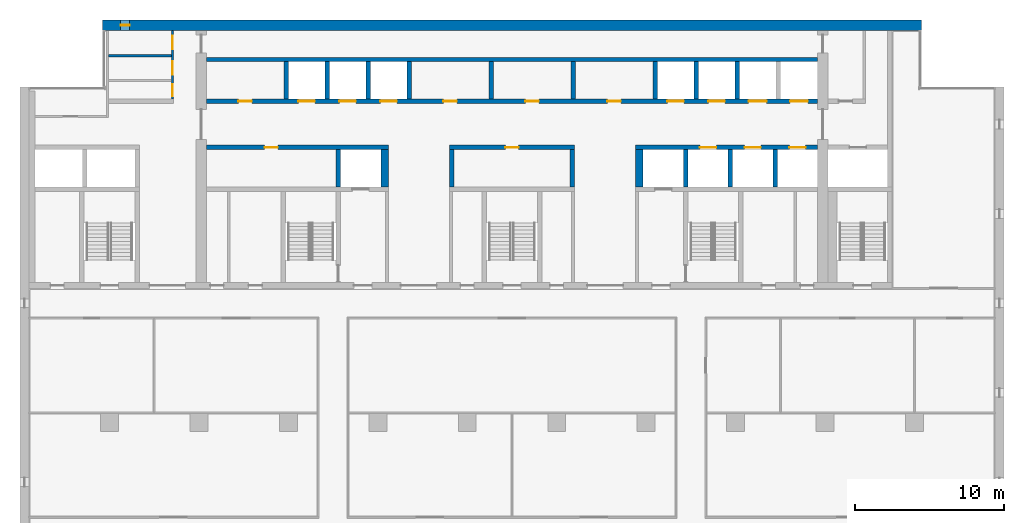
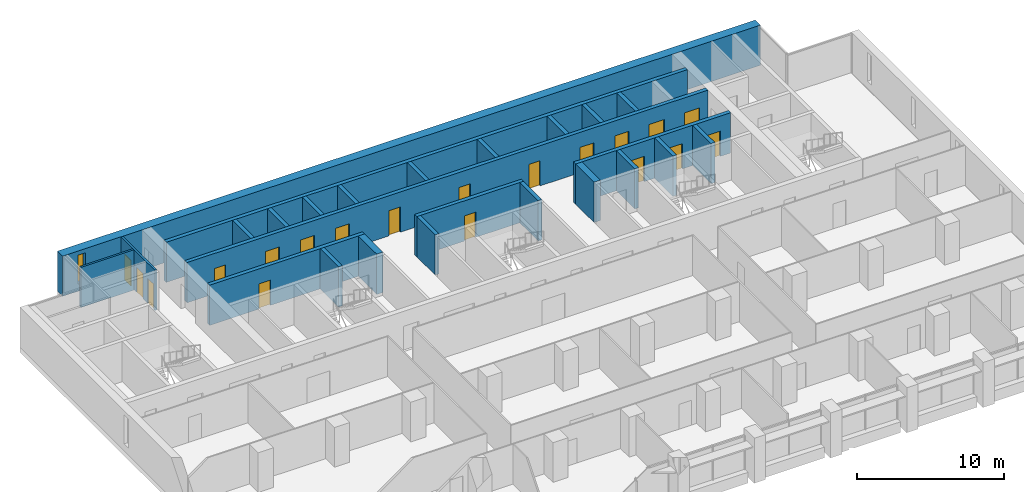
# One storey, part 11 of 17: 25 walls, 19 doors, 1 window, 20 openings.
"""IFC4 building model written with IfcOpenShell, lengths in metres."""

from ifc_helpers import new_model, si_unit, direction, frame, frame_2d, origin, place, context, subcontext, project, spatial, rectangle, extrude, material, layer, layer_set, type_object, element, fill, save


model = new_model("IFC4")

# Units and contexts
model_context = context("Model", 3, precision=1e-05, world=origin(), true_north=direction((0.0, 1.0)))
body_context = subcontext(model_context, "Body", "Model", "MODEL_VIEW")
ifc_project = project(units=[si_unit("LENGTHUNIT", "METRE"), si_unit("AREAUNIT", "SQUARE_METRE"), si_unit("VOLUMEUNIT", "CUBIC_METRE"), si_unit("PLANEANGLEUNIT", "RADIAN"), si_unit("MASSUNIT", "GRAM", prefix="KILO")], contexts=[model_context])

# Site, building, storey
site_placement = place(None, origin())
site = spatial("IfcSite", under=ifc_project, at=site_placement, CompositionType="ELEMENT")
building_placement = place(site_placement, origin())
building = spatial("IfcBuilding", under=site, at=building_placement, Name="Calvaro Tower", CompositionType="ELEMENT")
storey_placement = place(building_placement, frame((0.0, 0.0, 170.5)))
storey = spatial("IfcBuildingStorey", under=building, at=storey_placement, Name="L42", CompositionType="ELEMENT", Elevation=170.5)

# Wall
ifc_material_1 = material(Name="Blockwork partition", Category="masonry")
ifc_layer_1 = layer(ifc_material_1, 0.14990234375)
ifc_layer_set_1 = layer_set([ifc_layer_1], Name="Blockwork partition")
wall_type_1 = type_object("IfcWallType", Name="Core partition 150 EI 60", PredefinedType="PARTITIONING", material=ifc_layer_set_1)
wall_1_placement = place(storey_placement, frame((11.949951171875, 43.60009765625, 0.0), z_axis=(0.0, 0.0, 1.0), x_axis=(1.0, 0.0, 0.0)))
element("IfcWall", 1, at=wall_1_placement, inside=storey, type_object=wall_type_1, Name="Core partition", PredefinedType="PARTITIONING", context=body_context, shape_type="SweptSolid", body=[
    extrude(rectangle(XDim=4.199951171875, YDim=0.14990234375, at=frame_2d((2.10009765625, 0.0))), origin(), (0.0, 0.0, 1.0), 3.35009765625),
])

# Wall, openings, doors
ifc_material_2 = material(Name="Blockwork partition", Category="masonry")
ifc_layer_2 = layer(ifc_material_2, 0.14990234375)
ifc_layer_set_2 = layer_set([ifc_layer_2], Name="Blockwork partition")
wall_type_2 = type_object("IfcWallType", Name="Core partition 150 REI 120", PredefinedType="PARTITIONING", material=ifc_layer_set_2)
wall_2_placement = place(storey_placement, frame((16.22509765625, 45.300048828125, 0.0), z_axis=(0.0, 0.0, 1.0), x_axis=(0.0, -1.0, 0.0)))
wall_2 = element("IfcWall", 2, at=wall_2_placement, inside=storey, type_object=wall_type_2, Name="Core partition", PredefinedType="PARTITIONING", context=body_context, shape_type="SweptSolid", body=[
    extrude(rectangle(XDim=4.60009765625, YDim=0.14990234375, at=frame_2d((2.300048828125, 0.0))), origin(), (0.0, 0.0, 1.0), 3.35009765625),
])
opening_1_placement = place(wall_2_placement, frame((3.612548828125, 0.0, 0.0)))
opening_1 = element("IfcOpeningElement", 3, at=opening_1_placement, cuts=wall_2, Name="Opening RD8C", PredefinedType="OPENING", context=body_context, shape_type="SweptSolid", body=[
    extrude(rectangle(XDim=0.800048828125, YDim=2.10009765625, at=frame_2d((0.39990234375, 1.050048828125))), frame((0.0, 0.0849609375, 0.0), z_axis=(0.0, -1.0, 0.0), x_axis=(1.0, 0.0, 0.0)), (0.0, 0.0, 1.0), 0.169921875),
])
opening_2_placement = place(wall_2_placement, frame((2.074951171875, 0.0, 0.0)))
opening_2 = element("IfcOpeningElement", 4, at=opening_2_placement, cuts=wall_2, Name="Opening RD9", PredefinedType="OPENING", context=body_context, shape_type="SweptSolid", body=[
    extrude(rectangle(XDim=0.89990234375, YDim=2.10009765625, at=frame_2d((0.449951171875, 1.050048828125))), frame((0.0, 0.0849609375, 0.0), z_axis=(0.0, -1.0, 0.0), x_axis=(1.0, 0.0, 0.0)), (0.0, 0.0, 1.0), 0.169921875),
])
opening_3_placement = place(wall_2_placement, frame((0.362548828125, 0.0, 0.0)))
opening_3 = element("IfcOpeningElement", 5, at=opening_3_placement, cuts=wall_2, Name="Opening RD9", PredefinedType="OPENING", context=body_context, shape_type="SweptSolid", body=[
    extrude(rectangle(XDim=0.89990234375, YDim=2.10009765625, at=frame_2d((0.449951171875, 1.050048828125))), frame((0.0, 0.0849609375, 0.0), z_axis=(0.0, -1.0, 0.0), x_axis=(1.0, 0.0, 0.0)), (0.0, 0.0, 1.0), 0.169921875),
])
ifc_material_3 = material(Name="Steel door set", Category="steel")
door_type_1 = type_object("IfcDoorType", Name="Room door 800 FD30", OperationType="SINGLE_SWING_LEFT", PredefinedType="DOOR", material=ifc_material_3)
door_1_placement = place(opening_1_placement, origin())
door_1 = element("IfcDoor", 6, at=door_1_placement, inside=storey, type_object=door_type_1, Name="Room door", OperationType="SINGLE_SWING_RIGHT", OverallHeight=2.10009765625, OverallWidth=0.800048828125, PredefinedType="DOOR", context=body_context, shape_type="SweptSolid", body=[
    extrude(rectangle(XDim=0.800048828125, YDim=2.10009765625, at=frame_2d((0.39990234375, 1.050048828125))), frame((0.0, 0.02490234375, 0.0), z_axis=(0.0, -1.0, 0.0), x_axis=(1.0, 0.0, 0.0)), (0.0, 0.0, 1.0), 0.050048828125),
])
fill(opening_1, door_1)
ifc_material_4 = material(Name="Steel door set", Category="steel")
door_type_2 = type_object("IfcDoorType", Name="Room door 900", OperationType="SINGLE_SWING_LEFT", PredefinedType="DOOR", material=ifc_material_4)
door_2_placement = place(opening_2_placement, origin())
door_2 = element("IfcDoor", 7, at=door_2_placement, inside=storey, type_object=door_type_2, Name="Room door", OperationType="SINGLE_SWING_RIGHT", OverallHeight=2.10009765625, OverallWidth=0.89990234375, PredefinedType="DOOR", context=body_context, shape_type="SweptSolid", body=[
    extrude(rectangle(XDim=0.89990234375, YDim=2.10009765625, at=frame_2d((0.449951171875, 1.050048828125))), frame((0.0, 0.02490234375, 0.0), z_axis=(0.0, -1.0, 0.0), x_axis=(1.0, 0.0, 0.0)), (0.0, 0.0, 1.0), 0.050048828125),
])
fill(opening_2, door_2)
door_3_placement = place(opening_3_placement, origin())
door_3 = element("IfcDoor", 8, at=door_3_placement, inside=storey, type_object=door_type_2, Name="Room door", OperationType="SINGLE_SWING_RIGHT", OverallHeight=2.10009765625, OverallWidth=0.89990234375, PredefinedType="DOOR", context=body_context, shape_type="SweptSolid", body=[
    extrude(rectangle(XDim=0.89990234375, YDim=2.10009765625, at=frame_2d((0.449951171875, 1.050048828125))), frame((0.0, 0.02490234375, 0.0), z_axis=(0.0, -1.0, 0.0), x_axis=(1.0, 0.0, 0.0)), (0.0, 0.0, 1.0), 0.050048828125),
])
fill(opening_3, door_3)

# Walls
ifc_material_5 = material(Name="Blockwork partition", Category="masonry")
ifc_layer_3 = layer(ifc_material_5, 0.300048828125)
ifc_layer_set_3 = layer_set([ifc_layer_3], Name="Blockwork partition")
wall_type_3 = type_object("IfcWallType", Name="Core partition 300 EI 60", PredefinedType="PARTITIONING", material=ifc_layer_set_3)
wall_3_placement = place(storey_placement, frame((43.10009765625, 40.699951171875, 0.0), z_axis=(0.0, 0.0, 1.0), x_axis=(0.0, 1.0, 0.0)))
element("IfcWall", 9, at=wall_3_placement, inside=storey, type_object=wall_type_3, Name="Core partition", PredefinedType="PARTITIONING", context=body_context, shape_type="SweptSolid", body=[
    extrude(rectangle(XDim=2.5, YDim=0.300048828125, at=frame_2d((1.25, 0.0))), origin(), (0.0, 0.0, 1.0), 3.35009765625),
])
ifc_material_6 = material(Name="Blockwork partition", Category="masonry")
ifc_layer_4 = layer(ifc_material_6, 0.300048828125)
ifc_layer_set_4 = layer_set([ifc_layer_4], Name="Blockwork partition")
wall_type_4 = type_object("IfcWallType", Name="Core partition 300 REI 120", PredefinedType="PARTITIONING", material=ifc_layer_set_4)
wall_4_placement = place(storey_placement, frame((37.60009765625, 40.699951171875, 0.0), z_axis=(0.0, 0.0, 1.0), x_axis=(0.0, 1.0, 0.0)))
element("IfcWall", 10, at=wall_4_placement, inside=storey, type_object=wall_type_4, Name="Core partition", PredefinedType="PARTITIONING", context=body_context, shape_type="SweptSolid", body=[
    extrude(rectangle(XDim=2.5, YDim=0.300048828125, at=frame_2d((1.25, 0.0))), origin(), (0.0, 0.0, 1.0), 3.35009765625),
])

# Wall, opening, door
ifc_material_7 = material(Name="Concrete C50/60", Category="concrete")
ifc_layer_5 = layer(ifc_material_7, 0.300048828125)
ifc_layer_set_5 = layer_set([ifc_layer_5], Name="Concrete C50/60")
wall_type_5 = type_object("IfcWallType", Name="Core wall C50/60 300", PredefinedType="SHEAR", material=ifc_layer_set_5)
wall_5_placement = place(storey_placement, frame((30.699951171875, 37.449951171875, 0.0), z_axis=(0.0, 0.0, 1.0), x_axis=(-1.0, 0.0, 0.0)))
wall_5 = element("IfcWall", 11, at=wall_5_placement, inside=storey, type_object=wall_type_5, Name="Core wall, bay", PredefinedType="SHEAR", context=body_context, shape_type="SweptSolid", body=[
    extrude(rectangle(XDim=12.199951171875, YDim=0.300048828125, at=frame_2d((6.10009765625, 0.0))), origin(), (0.0, 0.0, 1.0), 3.35009765625),
])
opening_4_placement = place(wall_5_placement, frame((7.39990234375, 0.0, 0.0)))
opening_4 = element("IfcOpeningElement", 12, at=opening_4_placement, cuts=wall_5, Name="Opening RD9E", PredefinedType="OPENING", context=body_context, shape_type="SweptSolid", body=[
    extrude(rectangle(XDim=0.89990234375, YDim=2.10009765625, at=frame_2d((0.449951171875, 1.050048828125))), frame((0.0, 0.159912109375, 0.0), z_axis=(0.0, -1.0, 0.0), x_axis=(1.0, 0.0, 0.0)), (0.0, 0.0, 1.0), 0.320068359375),
])
ifc_material_8 = material(Name="Steel door set", Category="steel")
door_type_3 = type_object("IfcDoorType", Name="Room door 900 FD60", OperationType="SINGLE_SWING_LEFT", PredefinedType="DOOR", material=ifc_material_8)
door_4_placement = place(opening_4_placement, origin())
door_4 = element("IfcDoor", 13, at=door_4_placement, inside=storey, type_object=door_type_3, Name="Room door", OperationType="SINGLE_SWING_LEFT", OverallHeight=2.10009765625, OverallWidth=0.89990234375, PredefinedType="DOOR", context=body_context, shape_type="SweptSolid", body=[
    extrude(rectangle(XDim=0.89990234375, YDim=2.10009765625, at=frame_2d((0.449951171875, 1.050048828125))), frame((0.0, 0.02490234375, 0.0), z_axis=(0.0, -1.0, 0.0), x_axis=(1.0, 0.0, 0.0)), (0.0, 0.0, 1.0), 0.050048828125),
])
fill(opening_4, door_4)

wall_6_placement = place(storey_placement, frame((43.199951171875, 37.449951171875, 0.0), z_axis=(0.0, 0.0, 1.0), x_axis=(-1.0, 0.0, 0.0)))
wall_6 = element("IfcWall", 14, at=wall_6_placement, inside=storey, type_object=wall_type_5, Name="Core wall, bay", PredefinedType="SHEAR", context=body_context, shape_type="SweptSolid", body=[
    extrude(rectangle(XDim=8.39990234375, YDim=0.300048828125, at=frame_2d((4.199951171875, 0.0))), origin(), (0.0, 0.0, 1.0), 3.35009765625),
])
opening_5_placement = place(wall_6_placement, frame((3.75, 0.0, 0.0)))
opening_5 = element("IfcOpeningElement", 15, at=opening_5_placement, cuts=wall_6, Name="Opening RD9E", PredefinedType="OPENING", context=body_context, shape_type="SweptSolid", body=[
    extrude(rectangle(XDim=0.89990234375, YDim=2.10009765625, at=frame_2d((0.449951171875, 1.050048828125))), frame((0.0, 0.159912109375, 0.0), z_axis=(0.0, -1.0, 0.0), x_axis=(1.0, 0.0, 0.0)), (0.0, 0.0, 1.0), 0.320068359375),
])
door_5_placement = place(opening_5_placement, origin())
door_5 = element("IfcDoor", 16, at=door_5_placement, inside=storey, type_object=door_type_3, Name="Room door", OperationType="SINGLE_SWING_RIGHT", OverallHeight=2.10009765625, OverallWidth=0.89990234375, PredefinedType="DOOR", context=body_context, shape_type="SweptSolid", body=[
    extrude(rectangle(XDim=0.89990234375, YDim=2.10009765625, at=frame_2d((0.449951171875, 1.050048828125))), frame((0.0, 0.02490234375, 0.0), z_axis=(0.0, -1.0, 0.0), x_axis=(1.0, 0.0, 0.0)), (0.0, 0.0, 1.0), 0.050048828125),
])
fill(opening_5, door_5)

# Wall, openings, doors
wall_7_placement = place(storey_placement, frame((47.300048828125, 37.449951171875, 0.0), z_axis=(0.0, 0.0, 1.0), x_axis=(1.0, 0.0, 0.0)))
wall_7 = element("IfcWall", 17, at=wall_7_placement, inside=storey, type_object=wall_type_5, Name="Core wall, lift shaft", PredefinedType="SHEAR", context=body_context, shape_type="SweptSolid", body=[
    extrude(rectangle(XDim=12.199951171875, YDim=0.300048828125, at=frame_2d((6.10009765625, 0.0))), origin(), (0.0, 0.0, 1.0), 3.35009765625),
])
opening_6_placement = place(wall_7_placement, frame((4.300048828125, 0.0, 0.0)))
opening_6 = element("IfcOpeningElement", 18, at=opening_6_placement, cuts=wall_7, Name="Opening HR1", PredefinedType="OPENING", context=body_context, shape_type="SweptSolid", body=[
    extrude(rectangle(XDim=1.10009765625, YDim=2.10009765625, at=frame_2d((0.550048828125, 1.050048828125))), frame((0.0, 0.159912109375, 0.0), z_axis=(0.0, -1.0, 0.0), x_axis=(1.0, 0.0, 0.0)), (0.0, 0.0, 1.0), 0.320068359375),
])
opening_7_placement = place(wall_7_placement, frame((7.300048828125, 0.0, 0.0)))
opening_7 = element("IfcOpeningElement", 19, at=opening_7_placement, cuts=wall_7, Name="Opening HR2", PredefinedType="OPENING", context=body_context, shape_type="SweptSolid", body=[
    extrude(rectangle(XDim=1.10009765625, YDim=2.10009765625, at=frame_2d((0.550048828125, 1.050048828125))), frame((0.0, 0.159912109375, 0.0), z_axis=(0.0, -1.0, 0.0), x_axis=(1.0, 0.0, 0.0)), (0.0, 0.0, 1.0), 0.320068359375),
])
opening_8_placement = place(wall_7_placement, frame((10.300048828125, 0.0, 0.0)))
opening_8 = element("IfcOpeningElement", 20, at=opening_8_placement, cuts=wall_7, Name="Opening HR3", PredefinedType="OPENING", context=body_context, shape_type="SweptSolid", body=[
    extrude(rectangle(XDim=1.10009765625, YDim=2.10009765625, at=frame_2d((0.550048828125, 1.050048828125))), frame((0.0, 0.159912109375, 0.0), z_axis=(0.0, -1.0, 0.0), x_axis=(1.0, 0.0, 0.0)), (0.0, 0.0, 1.0), 0.320068359375),
])
ifc_material_9 = material(Name="Stainless steel", Category="steel")
door_type_4 = type_object("IfcDoorType", Name="Landing door 1100 E 60", OperationType="SLIDING_TO_LEFT", PredefinedType="DOOR", material=ifc_material_9)
door_6_placement = place(opening_6_placement, origin())
door_6 = element("IfcDoor", 21, at=door_6_placement, inside=storey, type_object=door_type_4, Name="Landing door HR1", OperationType="SLIDING_TO_LEFT", OverallHeight=2.10009765625, OverallWidth=1.10009765625, PredefinedType="DOOR", context=body_context, shape_type="SweptSolid", body=[
    extrude(rectangle(XDim=1.10009765625, YDim=2.10009765625, at=frame_2d((0.550048828125, 1.050048828125))), frame((0.0, 0.02490234375, 0.0), z_axis=(0.0, -1.0, 0.0), x_axis=(1.0, 0.0, 0.0)), (0.0, 0.0, 1.0), 0.050048828125),
])
fill(opening_6, door_6)
door_7_placement = place(opening_7_placement, origin())
door_7 = element("IfcDoor", 22, at=door_7_placement, inside=storey, type_object=door_type_4, Name="Landing door HR2", OperationType="SLIDING_TO_LEFT", OverallHeight=2.10009765625, OverallWidth=1.10009765625, PredefinedType="DOOR", context=body_context, shape_type="SweptSolid", body=[
    extrude(rectangle(XDim=1.10009765625, YDim=2.10009765625, at=frame_2d((0.550048828125, 1.050048828125))), frame((0.0, 0.02490234375, 0.0), z_axis=(0.0, -1.0, 0.0), x_axis=(1.0, 0.0, 0.0)), (0.0, 0.0, 1.0), 0.050048828125),
])
fill(opening_7, door_7)
door_8_placement = place(opening_8_placement, origin())
door_8 = element("IfcDoor", 23, at=door_8_placement, inside=storey, type_object=door_type_4, Name="Landing door HR3", OperationType="SLIDING_TO_LEFT", OverallHeight=2.10009765625, OverallWidth=1.10009765625, PredefinedType="DOOR", context=body_context, shape_type="SweptSolid", body=[
    extrude(rectangle(XDim=1.10009765625, YDim=2.10009765625, at=frame_2d((0.550048828125, 1.050048828125))), frame((0.0, 0.02490234375, 0.0), z_axis=(0.0, -1.0, 0.0), x_axis=(1.0, 0.0, 0.0)), (0.0, 0.0, 1.0), 0.050048828125),
])
fill(opening_8, door_8)

# Walls
for number, where, z_axis, x_axis, name in (
    (24, (27.35009765625, 34.800048828125, 0.0), (0.0, 0.0, 1.0), (0.0, 1.0, 0.0), "Core wall, lift shaft"),
    (25, (34.949951171875, 34.800048828125, 0.0), (0.0, 0.0, 1.0), (0.0, 1.0, 0.0), "Core wall, lift shaft"),
    (26, (43.050048828125, 34.800048828125, 0.0), (0.0, 0.0, 1.0), (0.0, 1.0, 0.0), "Core wall, lift shaft"),
    (27, (50.64990234375, 34.800048828125, 0.0), (0.0, 0.0, 1.0), (0.0, 1.0, 0.0), "Core wall, lift shaft"),
):
    element("IfcWall", number, at=place(storey_placement, frame(where, z_axis=z_axis, x_axis=x_axis)), inside=storey, type_object=wall_type_5, Name=name, PredefinedType="SHEAR", context=body_context, shape_type="SweptSolid", body=[
        extrude(rectangle(XDim=2.5, YDim=0.300048828125, at=frame_2d((1.25, 0.0))), origin(), (0.0, 0.0, 1.0), 3.35009765625),
    ])

# Wall, openings, doors
wall_8_placement = place(storey_placement, frame((18.5, 40.550048828125, 0.0), z_axis=(0.0, 0.0, 1.0), x_axis=(1.0, 0.0, 0.0)))
wall_8 = element("IfcWall", 28, at=wall_8_placement, inside=storey, type_object=wall_type_5, Name="Core wall, bay", PredefinedType="SHEAR", context=body_context, shape_type="SweptSolid", body=[
    extrude(rectangle(XDim=41.0, YDim=0.300048828125, at=frame_2d((20.5, 0.0))), origin(), (0.0, 0.0, 1.0), 3.35009765625),
])
opening_9_placement = place(wall_8_placement, frame((2.14990234375, 0.0, 0.0)))
opening_9 = element("IfcOpeningElement", 29, at=opening_9_placement, cuts=wall_8, Name="Opening RD9E", PredefinedType="OPENING", context=body_context, shape_type="SweptSolid", body=[
    extrude(rectangle(XDim=0.89990234375, YDim=2.10009765625, at=frame_2d((0.449951171875, 1.050048828125))), frame((0.0, 0.159912109375, 0.0), z_axis=(0.0, -1.0, 0.0), x_axis=(1.0, 0.0, 0.0)), (0.0, 0.0, 1.0), 0.320068359375),
])
opening_10_placement = place(wall_8_placement, frame((15.89990234375, 0.0, 0.0)))
opening_10 = element("IfcOpeningElement", 30, at=opening_10_placement, cuts=wall_8, Name="Opening RD9E", PredefinedType="OPENING", context=body_context, shape_type="SweptSolid", body=[
    extrude(rectangle(XDim=0.89990234375, YDim=2.10009765625, at=frame_2d((0.449951171875, 1.050048828125))), frame((0.0, 0.159912109375, 0.0), z_axis=(0.0, -1.0, 0.0), x_axis=(1.0, 0.0, 0.0)), (0.0, 0.0, 1.0), 0.320068359375),
])
opening_11_placement = place(wall_8_placement, frame((21.39990234375, 0.0, 0.0)))
opening_11 = element("IfcOpeningElement", 31, at=opening_11_placement, cuts=wall_8, Name="Opening RD9E", PredefinedType="OPENING", context=body_context, shape_type="SweptSolid", body=[
    extrude(rectangle(XDim=0.89990234375, YDim=2.10009765625, at=frame_2d((0.449951171875, 1.050048828125))), frame((0.0, 0.159912109375, 0.0), z_axis=(0.0, -1.0, 0.0), x_axis=(1.0, 0.0, 0.0)), (0.0, 0.0, 1.0), 0.320068359375),
])
opening_12_placement = place(wall_8_placement, frame((26.89990234375, 0.0, 0.0)))
opening_12 = element("IfcOpeningElement", 32, at=opening_12_placement, cuts=wall_8, Name="Opening RD9C", PredefinedType="OPENING", context=body_context, shape_type="SweptSolid", body=[
    extrude(rectangle(XDim=0.89990234375, YDim=2.10009765625, at=frame_2d((0.449951171875, 1.050048828125))), frame((0.0, 0.159912109375, 0.0), z_axis=(0.0, -1.0, 0.0), x_axis=(1.0, 0.0, 0.0)), (0.0, 0.0, 1.0), 0.320068359375),
])
opening_13_placement = place(wall_8_placement, frame((6.175048828125, 0.0, 0.0)))
opening_13 = element("IfcOpeningElement", 33, at=opening_13_placement, cuts=wall_8, Name="Opening HR4", PredefinedType="OPENING", context=body_context, shape_type="SweptSolid", body=[
    extrude(rectangle(XDim=1.10009765625, YDim=2.10009765625, at=frame_2d((0.550048828125, 1.050048828125))), frame((0.0, 0.159912109375, 0.0), z_axis=(0.0, -1.0, 0.0), x_axis=(1.0, 0.0, 0.0)), (0.0, 0.0, 1.0), 0.320068359375),
])
opening_14_placement = place(wall_8_placement, frame((8.925048828125, 0.0, 0.0)))
opening_14 = element("IfcOpeningElement", 34, at=opening_14_placement, cuts=wall_8, Name="Opening HR5", PredefinedType="OPENING", context=body_context, shape_type="SweptSolid", body=[
    extrude(rectangle(XDim=1.10009765625, YDim=2.10009765625, at=frame_2d((0.550048828125, 1.050048828125))), frame((0.0, 0.159912109375, 0.0), z_axis=(0.0, -1.0, 0.0), x_axis=(1.0, 0.0, 0.0)), (0.0, 0.0, 1.0), 0.320068359375),
])
opening_15_placement = place(wall_8_placement, frame((11.675048828125, 0.0, 0.0)))
opening_15 = element("IfcOpeningElement", 35, at=opening_15_placement, cuts=wall_8, Name="Opening HR6", PredefinedType="OPENING", context=body_context, shape_type="SweptSolid", body=[
    extrude(rectangle(XDim=1.10009765625, YDim=2.10009765625, at=frame_2d((0.550048828125, 1.050048828125))), frame((0.0, 0.159912109375, 0.0), z_axis=(0.0, -1.0, 0.0), x_axis=(1.0, 0.0, 0.0)), (0.0, 0.0, 1.0), 0.320068359375),
])
opening_16_placement = place(wall_8_placement, frame((30.925048828125, 0.0, 0.0)))
opening_16 = element("IfcOpeningElement", 36, at=opening_16_placement, cuts=wall_8, Name="Opening HR7", PredefinedType="OPENING", context=body_context, shape_type="SweptSolid", body=[
    extrude(rectangle(XDim=1.10009765625, YDim=2.10009765625, at=frame_2d((0.550048828125, 1.050048828125))), frame((0.0, 0.159912109375, 0.0), z_axis=(0.0, -1.0, 0.0), x_axis=(1.0, 0.0, 0.0)), (0.0, 0.0, 1.0), 0.320068359375),
])
opening_17_placement = place(wall_8_placement, frame((33.675048828125, 0.0, 0.0)))
opening_17 = element("IfcOpeningElement", 37, at=opening_17_placement, cuts=wall_8, Name="Opening HR8", PredefinedType="OPENING", context=body_context, shape_type="SweptSolid", body=[
    extrude(rectangle(XDim=1.10009765625, YDim=2.10009765625, at=frame_2d((0.550048828125, 1.050048828125))), frame((0.0, 0.159912109375, 0.0), z_axis=(0.0, -1.0, 0.0), x_axis=(1.0, 0.0, 0.0)), (0.0, 0.0, 1.0), 0.320068359375),
])
opening_18_placement = place(wall_8_placement, frame((36.375, 0.0, 0.0)))
opening_18 = element("IfcOpeningElement", 38, at=opening_18_placement, cuts=wall_8, Name="Opening SV1", PredefinedType="OPENING", context=body_context, shape_type="SweptSolid", body=[
    extrude(rectangle(XDim=1.199951171875, YDim=2.10009765625, at=frame_2d((0.60009765625, 1.050048828125))), frame((0.0, 0.159912109375, 0.0), z_axis=(0.0, -1.0, 0.0), x_axis=(1.0, 0.0, 0.0)), (0.0, 0.0, 1.0), 0.320068359375),
])
opening_19_placement = place(wall_8_placement, frame((39.14990234375, 0.0, 0.0)))
opening_19 = element("IfcOpeningElement", 39, at=opening_19_placement, cuts=wall_8, Name="Opening SV2", PredefinedType="OPENING", context=body_context, shape_type="SweptSolid", body=[
    extrude(rectangle(XDim=1.199951171875, YDim=2.10009765625, at=frame_2d((0.60009765625, 1.050048828125))), frame((0.0, 0.159912109375, 0.0), z_axis=(0.0, -1.0, 0.0), x_axis=(1.0, 0.0, 0.0)), (0.0, 0.0, 1.0), 0.320068359375),
])
door_9_placement = place(opening_13_placement, origin())
door_9 = element("IfcDoor", 40, at=door_9_placement, inside=storey, type_object=door_type_4, Name="Landing door HR4", OperationType="SLIDING_TO_LEFT", OverallHeight=2.10009765625, OverallWidth=1.10009765625, PredefinedType="DOOR", context=body_context, shape_type="SweptSolid", body=[
    extrude(rectangle(XDim=1.10009765625, YDim=2.10009765625, at=frame_2d((0.550048828125, 1.050048828125))), frame((0.0, 0.02490234375, 0.0), z_axis=(0.0, -1.0, 0.0), x_axis=(1.0, 0.0, 0.0)), (0.0, 0.0, 1.0), 0.050048828125),
])
fill(opening_13, door_9)
door_10_placement = place(opening_14_placement, origin())
door_10 = element("IfcDoor", 41, at=door_10_placement, inside=storey, type_object=door_type_4, Name="Landing door HR5", OperationType="SLIDING_TO_LEFT", OverallHeight=2.10009765625, OverallWidth=1.10009765625, PredefinedType="DOOR", context=body_context, shape_type="SweptSolid", body=[
    extrude(rectangle(XDim=1.10009765625, YDim=2.10009765625, at=frame_2d((0.550048828125, 1.050048828125))), frame((0.0, 0.02490234375, 0.0), z_axis=(0.0, -1.0, 0.0), x_axis=(1.0, 0.0, 0.0)), (0.0, 0.0, 1.0), 0.050048828125),
])
fill(opening_14, door_10)
door_11_placement = place(opening_15_placement, origin())
door_11 = element("IfcDoor", 42, at=door_11_placement, inside=storey, type_object=door_type_4, Name="Landing door HR6", OperationType="SLIDING_TO_LEFT", OverallHeight=2.10009765625, OverallWidth=1.10009765625, PredefinedType="DOOR", context=body_context, shape_type="SweptSolid", body=[
    extrude(rectangle(XDim=1.10009765625, YDim=2.10009765625, at=frame_2d((0.550048828125, 1.050048828125))), frame((0.0, 0.02490234375, 0.0), z_axis=(0.0, -1.0, 0.0), x_axis=(1.0, 0.0, 0.0)), (0.0, 0.0, 1.0), 0.050048828125),
])
fill(opening_15, door_11)
door_12_placement = place(opening_16_placement, origin())
door_12 = element("IfcDoor", 43, at=door_12_placement, inside=storey, type_object=door_type_4, Name="Landing door HR7", OperationType="SLIDING_TO_LEFT", OverallHeight=2.10009765625, OverallWidth=1.10009765625, PredefinedType="DOOR", context=body_context, shape_type="SweptSolid", body=[
    extrude(rectangle(XDim=1.10009765625, YDim=2.10009765625, at=frame_2d((0.550048828125, 1.050048828125))), frame((0.0, 0.02490234375, 0.0), z_axis=(0.0, -1.0, 0.0), x_axis=(1.0, 0.0, 0.0)), (0.0, 0.0, 1.0), 0.050048828125),
])
fill(opening_16, door_12)
door_13_placement = place(opening_17_placement, origin())
door_13 = element("IfcDoor", 44, at=door_13_placement, inside=storey, type_object=door_type_4, Name="Landing door HR8", OperationType="SLIDING_TO_LEFT", OverallHeight=2.10009765625, OverallWidth=1.10009765625, PredefinedType="DOOR", context=body_context, shape_type="SweptSolid", body=[
    extrude(rectangle(XDim=1.10009765625, YDim=2.10009765625, at=frame_2d((0.550048828125, 1.050048828125))), frame((0.0, 0.02490234375, 0.0), z_axis=(0.0, -1.0, 0.0), x_axis=(1.0, 0.0, 0.0)), (0.0, 0.0, 1.0), 0.050048828125),
])
fill(opening_17, door_13)
ifc_material_10 = material(Name="Stainless steel", Category="steel")
door_type_5 = type_object("IfcDoorType", Name="Landing door 1200 E 60", OperationType="SLIDING_TO_LEFT", PredefinedType="DOOR", material=ifc_material_10)
door_14_placement = place(opening_18_placement, origin())
door_14 = element("IfcDoor", 45, at=door_14_placement, inside=storey, type_object=door_type_5, Name="Landing door SV1", OperationType="SLIDING_TO_LEFT", OverallHeight=2.10009765625, OverallWidth=1.199951171875, PredefinedType="DOOR", context=body_context, shape_type="SweptSolid", body=[
    extrude(rectangle(XDim=1.199951171875, YDim=2.10009765625, at=frame_2d((0.60009765625, 1.050048828125))), frame((0.0, 0.02490234375, 0.0), z_axis=(0.0, -1.0, 0.0), x_axis=(1.0, 0.0, 0.0)), (0.0, 0.0, 1.0), 0.050048828125),
])
fill(opening_18, door_14)
door_15_placement = place(opening_19_placement, origin())
door_15 = element("IfcDoor", 46, at=door_15_placement, inside=storey, type_object=door_type_5, Name="Landing door SV2", OperationType="SLIDING_TO_LEFT", OverallHeight=2.10009765625, OverallWidth=1.199951171875, PredefinedType="DOOR", context=body_context, shape_type="SweptSolid", body=[
    extrude(rectangle(XDim=1.199951171875, YDim=2.10009765625, at=frame_2d((0.60009765625, 1.050048828125))), frame((0.0, 0.02490234375, 0.0), z_axis=(0.0, -1.0, 0.0), x_axis=(1.0, 0.0, 0.0)), (0.0, 0.0, 1.0), 0.050048828125),
])
fill(opening_19, door_15)
ifc_material_11 = material(Name="Steel door set", Category="steel")
door_type_6 = type_object("IfcDoorType", Name="Room door 900 FD30", OperationType="SINGLE_SWING_LEFT", PredefinedType="DOOR", material=ifc_material_11)
door_16_placement = place(opening_12_placement, origin())
door_16 = element("IfcDoor", 47, at=door_16_placement, inside=storey, type_object=door_type_6, Name="Room door", OperationType="SINGLE_SWING_LEFT", OverallHeight=2.10009765625, OverallWidth=0.89990234375, PredefinedType="DOOR", context=body_context, shape_type="SweptSolid", body=[
    extrude(rectangle(XDim=0.89990234375, YDim=2.10009765625, at=frame_2d((0.449951171875, 1.050048828125))), frame((0.0, 0.02490234375, 0.0), z_axis=(0.0, -1.0, 0.0), x_axis=(1.0, 0.0, 0.0)), (0.0, 0.0, 1.0), 0.050048828125),
])
fill(opening_12, door_16)
door_17_placement = place(opening_9_placement, origin())
door_17 = element("IfcDoor", 48, at=door_17_placement, inside=storey, type_object=door_type_3, Name="Room door", OperationType="SINGLE_SWING_RIGHT", OverallHeight=2.10009765625, OverallWidth=0.89990234375, PredefinedType="DOOR", context=body_context, shape_type="SweptSolid", body=[
    extrude(rectangle(XDim=0.89990234375, YDim=2.10009765625, at=frame_2d((0.449951171875, 1.050048828125))), frame((0.0, 0.02490234375, 0.0), z_axis=(0.0, -1.0, 0.0), x_axis=(1.0, 0.0, 0.0)), (0.0, 0.0, 1.0), 0.050048828125),
])
fill(opening_9, door_17)
door_18_placement = place(opening_10_placement, origin())
door_18 = element("IfcDoor", 49, at=door_18_placement, inside=storey, type_object=door_type_3, Name="Room door", OperationType="SINGLE_SWING_LEFT", OverallHeight=2.10009765625, OverallWidth=0.89990234375, PredefinedType="DOOR", context=body_context, shape_type="SweptSolid", body=[
    extrude(rectangle(XDim=0.89990234375, YDim=2.10009765625, at=frame_2d((0.449951171875, 1.050048828125))), frame((0.0, 0.02490234375, 0.0), z_axis=(0.0, -1.0, 0.0), x_axis=(1.0, 0.0, 0.0)), (0.0, 0.0, 1.0), 0.050048828125),
])
fill(opening_10, door_18)
door_19_placement = place(opening_11_placement, origin())
door_19 = element("IfcDoor", 50, at=door_19_placement, inside=storey, type_object=door_type_3, Name="Room door", OperationType="SINGLE_SWING_LEFT", OverallHeight=2.10009765625, OverallWidth=0.89990234375, PredefinedType="DOOR", context=body_context, shape_type="SweptSolid", body=[
    extrude(rectangle(XDim=0.89990234375, YDim=2.10009765625, at=frame_2d((0.449951171875, 1.050048828125))), frame((0.0, 0.02490234375, 0.0), z_axis=(0.0, -1.0, 0.0), x_axis=(1.0, 0.0, 0.0)), (0.0, 0.0, 1.0), 0.050048828125),
])
fill(opening_11, door_19)

# Walls
wall_9_placement = place(storey_placement, frame((18.5, 43.35009765625, 0.0), z_axis=(0.0, 0.0, 1.0), x_axis=(1.0, 0.0, 0.0)))
element("IfcWall", 51, at=wall_9_placement, inside=storey, type_object=wall_type_5, Name="Core wall, lift shaft", PredefinedType="SHEAR", context=body_context, shape_type="SweptSolid", body=[
    extrude(rectangle(XDim=41.0, YDim=0.300048828125, at=frame_2d((20.5, 0.0))), origin(), (0.0, 0.0, 1.0), 3.35009765625),
])
for number, where, z_axis, x_axis, name in (
    (52, (53.64990234375, 34.800048828125, 0.0), (0.0, 0.0, 1.0), (0.0, 1.0, 0.0), "Core wall, lift shaft"),
    (53, (56.64990234375, 34.800048828125, 0.0), (0.0, 0.0, 1.0), (0.0, 1.0, 0.0), "Core wall, lift shaft"),
    (54, (23.85009765625, 40.699951171875, 0.0), (0.0, 0.0, 1.0), (0.0, 1.0, 0.0), "Core wall, lift shaft"),
    (55, (26.60009765625, 40.699951171875, 0.0), (0.0, 0.0, 1.0), (0.0, 1.0, 0.0), "Core wall, lift shaft"),
    (56, (29.35009765625, 40.699951171875, 0.0), (0.0, 0.0, 1.0), (0.0, 1.0, 0.0), "Core wall, lift shaft"),
    (57, (32.10009765625, 40.699951171875, 0.0), (0.0, 0.0, 1.0), (0.0, 1.0, 0.0), "Core wall, lift shaft"),
    (58, (48.60009765625, 40.699951171875, 0.0), (0.0, 0.0, 1.0), (0.0, 1.0, 0.0), "Core wall, lift shaft"),
    (59, (51.35009765625, 40.699951171875, 0.0), (0.0, 0.0, 1.0), (0.0, 1.0, 0.0), "Core wall, lift shaft"),
    (60, (54.10009765625, 40.699951171875, 0.0), (0.0, 0.0, 1.0), (0.0, 1.0, 0.0), "Core wall, lift shaft"),
):
    element("IfcWall", number, at=place(storey_placement, frame(where, z_axis=z_axis, x_axis=x_axis)), inside=storey, type_object=wall_type_5, Name=name, PredefinedType="SHEAR", context=body_context, shape_type="SweptSolid", body=[
        extrude(rectangle(XDim=2.5, YDim=0.300048828125, at=frame_2d((1.25, 0.0))), origin(), (0.0, 0.0, 1.0), 3.35009765625),
    ])
ifc_material_12 = material(Name="Concrete C50/60", Category="concrete")
ifc_layer_6 = layer(ifc_material_12, 0.5)
ifc_layer_set_6 = layer_set([ifc_layer_6], Name="Concrete C50/60")
wall_type_6 = type_object("IfcWallType", Name="Core wall C50/60 500", PredefinedType="SHEAR", material=ifc_layer_set_6)
for number, where, z_axis, x_axis, name in (
    (61, (30.449951171875, 34.800048828125, 0.0), (0.0, 0.0, 1.0), (0.0, 1.0, 0.0), "Core wall, lift shaft"),
    (62, (47.550048828125, 34.800048828125, 0.0), (0.0, 0.0, 1.0), (0.0, 1.0, 0.0), "Core wall, lift shaft"),
):
    element("IfcWall", number, at=place(storey_placement, frame(where, z_axis=z_axis, x_axis=x_axis)), inside=storey, type_object=wall_type_6, Name=name, PredefinedType="SHEAR", context=body_context, shape_type="SweptSolid", body=[
        extrude(rectangle(XDim=2.5, YDim=0.5, at=frame_2d((1.25, 0.0))), origin(), (0.0, 0.0, 1.0), 3.35009765625),
    ])

# Wall, opening, window
ifc_material_13 = material(Name="Concrete C50/60", Category="concrete")
ifc_layer_7 = layer(ifc_material_13, 0.699951171875)
ifc_layer_set_7 = layer_set([ifc_layer_7], Name="Concrete C50/60")
wall_type_7 = type_object("IfcWallType", Name="Rear core wall 700 C50/60", PredefinedType="SHEAR", material=ifc_layer_set_7)
wall_10_placement = place(storey_placement, frame((11.550048828125, 45.64990234375, 0.0), z_axis=(0.0, 0.0, 1.0), x_axis=(1.0, 0.0, 0.0)))
wall_10 = element("IfcWall", 63, at=wall_10_placement, inside=storey, type_object=wall_type_7, Name="North core wall", PredefinedType="SHEAR", context=body_context, shape_type="SweptSolid", body=[
    extrude(rectangle(XDim=54.89990234375, YDim=0.699951171875, at=frame_2d((27.449951171875, 0.0))), origin(), (0.0, 0.0, 1.0), 3.35009765625),
])
opening_20_placement = place(wall_10_placement, frame((1.199951171875, 0.0, 0.60009765625)))
opening_20 = element("IfcOpeningElement", 64, at=opening_20_placement, cuts=wall_10, Name="Opening WN01", PredefinedType="OPENING", context=body_context, shape_type="SweptSolid", body=[
    extrude(rectangle(XDim=0.60009765625, YDim=2.39990234375, at=frame_2d((0.300048828125, 1.199951171875))), frame((0.0, 0.35986328125, 0.0), z_axis=(0.0, -1.0, 0.0), x_axis=(1.0, 0.0, 0.0)), (0.0, 0.0, 1.0), 0.719970703125),
])
ifc_material_14 = material(Name="Glass", Category="glass")
window_type = type_object("IfcWindowType", Name="Slit window 600 x 2400", PartitioningType="SINGLE_PANEL", PredefinedType="WINDOW", material=ifc_material_14)
window_placement = place(opening_20_placement, origin())
window = element("IfcWindow", 65, at=window_placement, inside=storey, type_object=window_type, Name="Window WN01", OverallHeight=2.39990234375, OverallWidth=0.60009765625, PartitioningType="SINGLE_PANEL", PredefinedType="WINDOW", context=body_context, shape_type="SweptSolid", body=[
    extrude(rectangle(XDim=0.60009765625, YDim=2.39990234375, at=frame_2d((0.300048828125, 1.199951171875))), frame((0.0, 0.030029296875, 0.0), z_axis=(0.0, -1.0, 0.0), x_axis=(1.0, 0.0, 0.0)), (0.0, 0.0, 1.0), 0.06005859375),
])
fill(opening_20, window)

save(model, "model.ifc")
